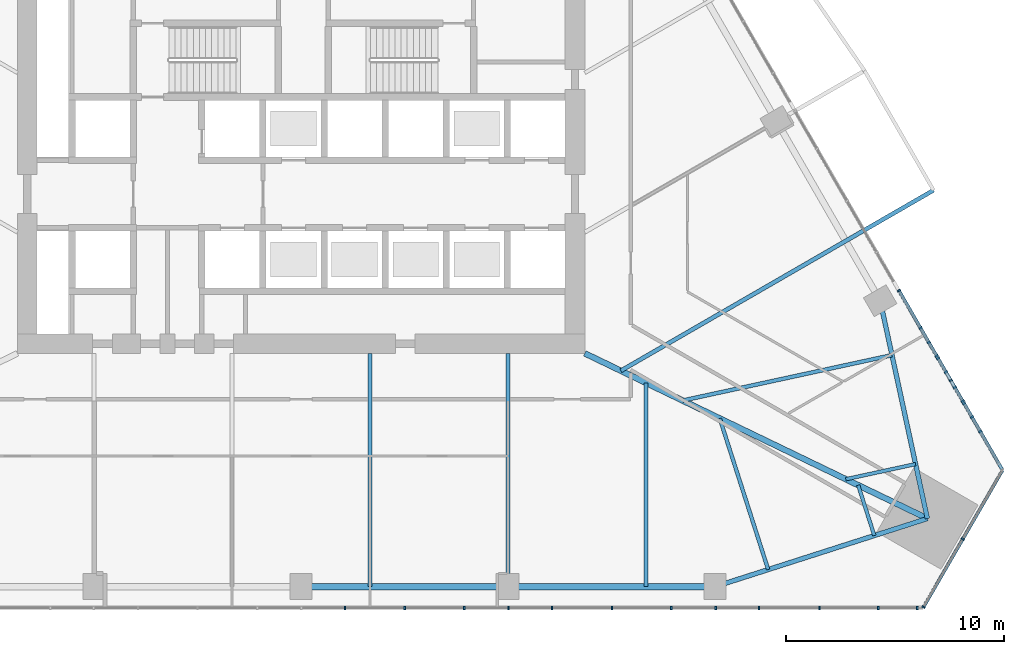
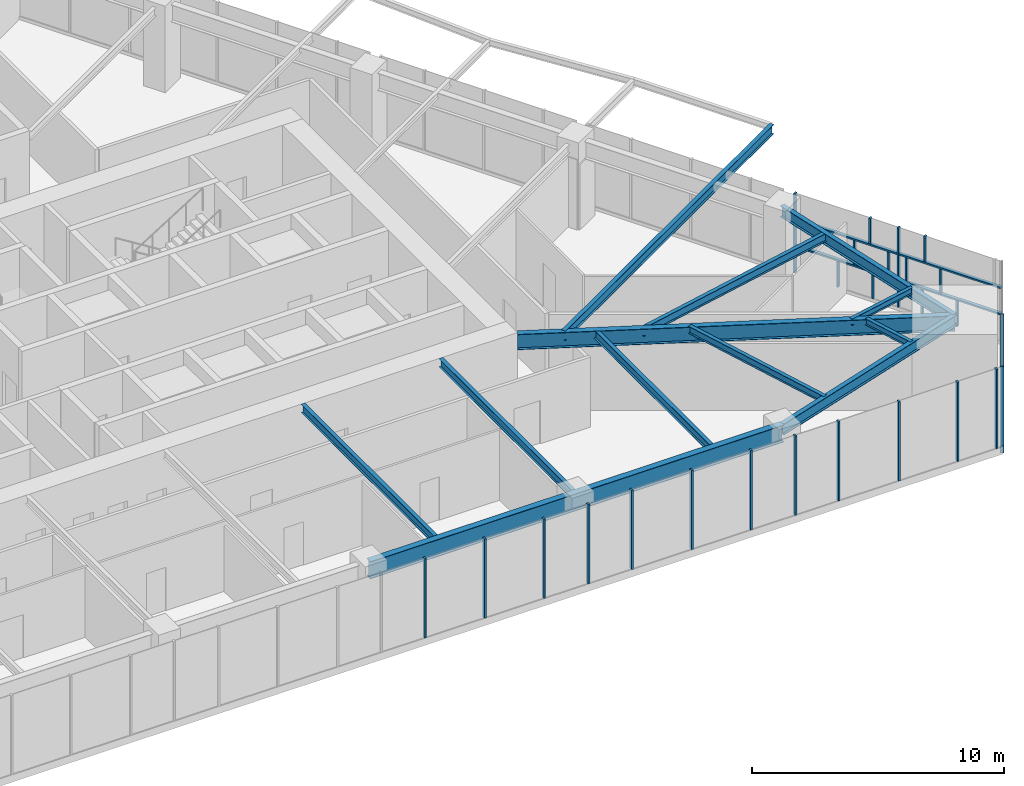
# One storey, part 7 of 26: 31 members, 12 beams, 3 elements without a shape of their own.
"""IFC4 building model written with IfcOpenShell, lengths in metres."""

from ifc_helpers import new_model, si_unit, direction, frame, origin, origin_2d, place, context, subcontext, project, spatial, rectangle, i_section, extrude, material, layer, layer_set, material_profile, profile_set, type_object, element, aggregate, save


model = new_model("IFC4")

# Units and contexts
model_context = context("Model", 3, precision=1e-05, world=origin(), true_north=direction((0.0, 1.0)))
body_context = subcontext(model_context, "Body", "Model", "MODEL_VIEW")
ifc_project = project(units=[si_unit("LENGTHUNIT", "METRE"), si_unit("AREAUNIT", "SQUARE_METRE"), si_unit("VOLUMEUNIT", "CUBIC_METRE"), si_unit("PLANEANGLEUNIT", "RADIAN"), si_unit("MASSUNIT", "GRAM", prefix="KILO")], contexts=[model_context])

# Site, building, storey
site_placement = place(None, origin())
site = spatial("IfcSite", under=ifc_project, at=site_placement, CompositionType="ELEMENT")
building_placement = place(site_placement, origin())
building = spatial("IfcBuilding", under=site, at=building_placement, Name="Firuza Gate Tower and Library", CompositionType="ELEMENT")
storey_placement = place(building_placement, frame((0.0, 0.0, 77.800048828125)))
storey = spatial("IfcBuildingStorey", under=building, at=storey_placement, Name="L17", CompositionType="ELEMENT", Elevation=77.800048828125)

# Curtain wall, members
ifc_material_1 = material(Name="Aluminium 6063-T6", Category="aluminium")
ifc_layer_1 = layer(ifc_material_1, 0.14990234375)
ifc_layer_set_1 = layer_set([ifc_layer_1], Name="Unitised curtain wall, offices")
curtain_wall_type_1 = type_object("IfcCurtainWallType", Name="Unitised curtain wall, offices", PredefinedType="NOTDEFINED", material=ifc_layer_set_1)
placement = place(storey_placement, origin())
curtain_wall_1 = element("IfcCurtainWall", 1, at=placement, inside=storey, type_object=curtain_wall_type_1, Name="CW1 L17 S face", PredefinedType="NOTDEFINED")
ifc_material_2 = material(Name="Aluminium 6063-T6", Category="aluminium")
ifc_material_profile_1 = material_profile(ifc_material_2, rectangle(XDim=0.14990234375, YDim=0.080078125, at=origin_2d()))
ifc_profile_set_1 = profile_set([ifc_material_profile_1], Name="Aluminium 6063-T6")
member_type_1 = type_object("IfcMemberType", Name="Curtain wall mullion 80x150", PredefinedType="MULLION", material=ifc_profile_set_1)
member_1_placement = place(storey_placement, frame((79.749755859375, 54.339111328125, 0.14990234375), z_axis=(0.0, 0.0, 1.0), x_axis=(0.0, 1.0, 0.0)))
member_1 = element("IfcMember", 2, at=member_1_placement, type_object=member_type_1, Name="Mullion", PredefinedType="MULLION", context=body_context, shape_type="SweptSolid", body=[
    extrude(rectangle(XDim=0.14990234375, YDim=0.080078125, at=origin_2d()), origin(), (0.0, 0.0, 1.0), 3.85009765625),
])
member_2_placement = place(storey_placement, frame((84.499755859375, 54.339111328125, 0.14990234375), z_axis=(0.0, 0.0, 1.0), x_axis=(0.0, 1.0, 0.0)))
member_2 = element("IfcMember", 3, at=member_2_placement, type_object=member_type_1, Name="Mullion", PredefinedType="MULLION", context=body_context, shape_type="SweptSolid", body=[
    extrude(rectangle(XDim=0.14990234375, YDim=0.080078125, at=origin_2d()), origin(), (0.0, 0.0, 1.0), 3.85009765625),
])
member_3_placement = place(storey_placement, frame((89.24951171875, 54.339111328125, 0.14990234375), z_axis=(0.0, 0.0, 1.0), x_axis=(0.0, 1.0, 0.0)))
member_3 = element("IfcMember", 4, at=member_3_placement, type_object=member_type_1, Name="Mullion", PredefinedType="MULLION", context=body_context, shape_type="SweptSolid", body=[
    extrude(rectangle(XDim=0.14990234375, YDim=0.080078125, at=origin_2d()), origin(), (0.0, 0.0, 1.0), 3.85009765625),
])
member_4_placement = place(storey_placement, frame((93.99951171875, 54.339111328125, 0.14990234375), z_axis=(0.0, 0.0, 1.0), x_axis=(0.0, 1.0, 0.0)))
member_4 = element("IfcMember", 5, at=member_4_placement, type_object=member_type_1, Name="Mullion", PredefinedType="MULLION", context=body_context, shape_type="SweptSolid", body=[
    extrude(rectangle(XDim=0.14990234375, YDim=0.080078125, at=origin_2d()), origin(), (0.0, 0.0, 1.0), 3.85009765625),
])
member_5_placement = place(storey_placement, frame((98.749267578125, 54.339111328125, 0.14990234375), z_axis=(0.0, 0.0, 1.0), x_axis=(0.0, 1.0, 0.0)))
member_5 = element("IfcMember", 6, at=member_5_placement, type_object=member_type_1, Name="Mullion", PredefinedType="MULLION", context=body_context, shape_type="SweptSolid", body=[
    extrude(rectangle(XDim=0.14990234375, YDim=0.080078125, at=origin_2d()), origin(), (0.0, 0.0, 1.0), 3.85009765625),
])
member_6_placement = place(storey_placement, frame((77.009033203125, 54.339111328125, 0.14990234375), z_axis=(0.0, 0.0, 1.0), x_axis=(0.0, 1.0, 0.0)))
member_6 = element("IfcMember", 7, at=member_6_placement, type_object=member_type_1, Name="Mullion", PredefinedType="MULLION", context=body_context, shape_type="SweptSolid", body=[
    extrude(rectangle(XDim=0.14990234375, YDim=0.080078125, at=origin_2d()), origin(), (0.0, 0.0, 1.0), 3.85009765625),
])
member_7_placement = place(storey_placement, frame((82.476318359375, 54.339111328125, 0.14990234375), z_axis=(0.0, 0.0, 1.0), x_axis=(0.0, 1.0, 0.0)))
member_7 = element("IfcMember", 8, at=member_7_placement, type_object=member_type_1, Name="Mullion", PredefinedType="MULLION", context=body_context, shape_type="SweptSolid", body=[
    extrude(rectangle(XDim=0.14990234375, YDim=0.080078125, at=origin_2d()), origin(), (0.0, 0.0, 1.0), 3.85009765625),
])
member_8_placement = place(storey_placement, frame((86.494384765625, 54.339111328125, 0.14990234375), z_axis=(0.0, 0.0, 1.0), x_axis=(0.0, 1.0, 0.0)))
member_8 = element("IfcMember", 9, at=member_8_placement, type_object=member_type_1, Name="Mullion", PredefinedType="MULLION", context=body_context, shape_type="SweptSolid", body=[
    extrude(rectangle(XDim=0.14990234375, YDim=0.080078125, at=origin_2d()), origin(), (0.0, 0.0, 1.0), 3.85009765625),
])
member_9_placement = place(storey_placement, frame((91.96142578125, 54.339111328125, 0.14990234375), z_axis=(0.0, 0.0, 1.0), x_axis=(0.0, 1.0, 0.0)))
member_9 = element("IfcMember", 10, at=member_9_placement, type_object=member_type_1, Name="Mullion", PredefinedType="MULLION", context=body_context, shape_type="SweptSolid", body=[
    extrude(rectangle(XDim=0.14990234375, YDim=0.080078125, at=origin_2d()), origin(), (0.0, 0.0, 1.0), 3.85009765625),
])
member_10_placement = place(storey_placement, frame((95.979736328125, 54.339111328125, 0.14990234375), z_axis=(0.0, 0.0, 1.0), x_axis=(0.0, 1.0, 0.0)))
member_10 = element("IfcMember", 11, at=member_10_placement, type_object=member_type_1, Name="Mullion", PredefinedType="MULLION", context=body_context, shape_type="SweptSolid", body=[
    extrude(rectangle(XDim=0.14990234375, YDim=0.080078125, at=origin_2d()), origin(), (0.0, 0.0, 1.0), 3.85009765625),
])
member_11_placement = place(storey_placement, frame((101.44677734375, 54.339111328125, 0.14990234375), z_axis=(0.0, 0.0, 1.0), x_axis=(0.0, 1.0, 0.0)))
member_11 = element("IfcMember", 12, at=member_11_placement, type_object=member_type_1, Name="Mullion", PredefinedType="MULLION", context=body_context, shape_type="SweptSolid", body=[
    extrude(rectangle(XDim=0.14990234375, YDim=0.080078125, at=origin_2d()), origin(), (0.0, 0.0, 1.0), 3.85009765625),
])
member_12_placement = place(storey_placement, frame((103.233154296875, 54.339111328125, 0.14990234375), z_axis=(0.0, 0.0, 1.0), x_axis=(0.0, 1.0, 0.0)))
member_12 = element("IfcMember", 13, at=member_12_placement, type_object=member_type_1, Name="Mullion", PredefinedType="MULLION", context=body_context, shape_type="SweptSolid", body=[
    extrude(rectangle(XDim=0.14990234375, YDim=0.080078125, at=origin_2d()), origin(), (0.0, 0.0, 1.0), 3.85009765625),
])
aggregate(curtain_wall_1, [member_1, member_2, member_3, member_4, member_5, member_6, member_7, member_8, member_9, member_10, member_11, member_12])

ifc_material_3 = material(Name="Aluminium 6063-T6", Category="aluminium")
ifc_layer_2 = layer(ifc_material_3, 0.14990234375)
ifc_layer_set_2 = layer_set([ifc_layer_2], Name="Corner curtain wall, chamfers")
curtain_wall_type_2 = type_object("IfcCurtainWallType", Name="Corner curtain wall, chamfers", PredefinedType="NOTDEFINED", material=ifc_layer_set_2)
curtain_wall_2 = element("IfcCurtainWall", 14, at=placement, inside=storey, type_object=curtain_wall_type_2, Name="CW4 L17 SE corner", PredefinedType="NOTDEFINED")
member_13_placement = place(storey_placement, frame((103.519287109375, 54.373779296875, 0.14990234375), z_axis=(0.0, 0.0, 1.0), x_axis=(-0.866025403784, 0.5, 0.0)))
member_13 = element("IfcMember", 15, at=member_13_placement, type_object=member_type_1, Name="Mullion", PredefinedType="MULLION", context=body_context, shape_type="SweptSolid", body=[
    extrude(rectangle(XDim=0.14990234375, YDim=0.080078125, at=origin_2d()), origin(), (0.0, 0.0, 1.0), 3.85009765625),
])
member_14_placement = place(storey_placement, frame((105.32080078125, 57.494140625, 0.14990234375), z_axis=(0.0, 0.0, 1.0), x_axis=(-0.866025403784, 0.5, 0.0)))
member_14 = element("IfcMember", 16, at=member_14_placement, type_object=member_type_1, Name="Mullion", PredefinedType="MULLION", context=body_context, shape_type="SweptSolid", body=[
    extrude(rectangle(XDim=0.14990234375, YDim=0.080078125, at=origin_2d()), origin(), (0.0, 0.0, 1.0), 3.85009765625),
])

curtain_wall_3 = element("IfcCurtainWall", 17, at=placement, inside=storey, type_object=curtain_wall_type_1, Name="CW1 L17 E face", PredefinedType="NOTDEFINED")
member_15_placement = place(storey_placement, frame((104.767578125, 64.762939453125, 0.14990234375), z_axis=(0.0, 0.0, 1.0), x_axis=(-0.866025403784, -0.5, 0.0)))
member_15 = element("IfcMember", 18, at=member_15_placement, type_object=member_type_1, Name="Mullion", PredefinedType="MULLION", context=body_context, shape_type="SweptSolid", body=[
    extrude(rectangle(XDim=0.14990234375, YDim=0.080078125, at=origin_2d()), origin(), (0.0, 0.0, 1.0), 3.85009765625),
])
member_16_placement = place(storey_placement, frame((102.392578125, 68.87646484375, 0.14990234375), z_axis=(0.0, 0.0, 1.0), x_axis=(-0.866025403784, -0.5, 0.0)))
member_16 = element("IfcMember", 19, at=member_16_placement, type_object=member_type_1, Name="Mullion", PredefinedType="MULLION", context=body_context, shape_type="SweptSolid", body=[
    extrude(rectangle(XDim=0.14990234375, YDim=0.080078125, at=origin_2d()), origin(), (0.0, 0.0, 1.0), 3.85009765625),
])
member_17_placement = place(storey_placement, frame((106.1162109375, 62.4267578125, 0.14990234375), z_axis=(0.0, 0.0, 1.0), x_axis=(-0.866025403784, -0.5, 0.0)))
member_17 = element("IfcMember", 20, at=member_17_placement, type_object=member_type_1, Name="Mullion", PredefinedType="MULLION", context=body_context, shape_type="SweptSolid", body=[
    extrude(rectangle(XDim=0.14990234375, YDim=0.080078125, at=origin_2d()), origin(), (0.0, 0.0, 1.0), 1.260009765625),
])
member_18_placement = place(storey_placement, frame((105.313720703125, 63.817138671875, 0.14990234375), z_axis=(0.0, 0.0, 1.0), x_axis=(-0.866025403784, -0.5, 0.0)))
member_18 = element("IfcMember", 21, at=member_18_placement, type_object=member_type_1, Name="Mullion", PredefinedType="MULLION", context=body_context, shape_type="SweptSolid", body=[
    extrude(rectangle(XDim=0.14990234375, YDim=0.080078125, at=origin_2d()), origin(), (0.0, 0.0, 1.0), 1.260009765625),
])
member_19_placement = place(storey_placement, frame((105.738037109375, 63.08203125, 1.489990234375), z_axis=(0.0, 0.0, 1.0), x_axis=(-0.866025403784, -0.5, 0.0)))
member_19 = element("IfcMember", 22, at=member_19_placement, type_object=member_type_1, Name="Mullion", PredefinedType="MULLION", context=body_context, shape_type="SweptSolid", body=[
    extrude(rectangle(XDim=0.14990234375, YDim=0.080078125, at=origin_2d()), origin(), (0.0, 0.0, 1.0), 1.195068359375),
])
member_20_placement = place(storey_placement, frame((104.953857421875, 64.4404296875, 1.489990234375), z_axis=(0.0, 0.0, 1.0), x_axis=(-0.866025403784, -0.5, 0.0)))
member_20 = element("IfcMember", 23, at=member_20_placement, type_object=member_type_1, Name="Mullion", PredefinedType="MULLION", context=body_context, shape_type="SweptSolid", body=[
    extrude(rectangle(XDim=0.14990234375, YDim=0.080078125, at=origin_2d()), origin(), (0.0, 0.0, 1.0), 1.195068359375),
])
member_21_placement = place(storey_placement, frame((105.378173828125, 63.70556640625, 2.764892578125), z_axis=(0.0, 0.0, 1.0), x_axis=(-0.866025403784, -0.5, 0.0)))
member_21 = element("IfcMember", 24, at=member_21_placement, type_object=member_type_1, Name="Mullion", PredefinedType="MULLION", context=body_context, shape_type="SweptSolid", body=[
    extrude(rectangle(XDim=0.14990234375, YDim=0.080078125, at=origin_2d()), origin(), (0.0, 0.0, 1.0), 1.235107421875),
])
member_22_placement = place(storey_placement, frame((104.185302734375, 65.771240234375, 0.14990234375), z_axis=(0.0, 0.0, 1.0), x_axis=(-0.866025403784, -0.5, 0.0)))
member_22 = element("IfcMember", 25, at=member_22_placement, type_object=member_type_1, Name="Mullion", PredefinedType="MULLION", context=body_context, shape_type="SweptSolid", body=[
    extrude(rectangle(XDim=0.14990234375, YDim=0.080078125, at=origin_2d()), origin(), (0.0, 0.0, 1.0), 1.260009765625),
])
member_23_placement = place(storey_placement, frame((103.3828125, 67.16162109375, 0.14990234375), z_axis=(0.0, 0.0, 1.0), x_axis=(-0.866025403784, -0.5, 0.0)))
member_23 = element("IfcMember", 26, at=member_23_placement, type_object=member_type_1, Name="Mullion", PredefinedType="MULLION", context=body_context, shape_type="SweptSolid", body=[
    extrude(rectangle(XDim=0.14990234375, YDim=0.080078125, at=origin_2d()), origin(), (0.0, 0.0, 1.0), 1.260009765625),
])
member_24_placement = place(storey_placement, frame((104.54541015625, 65.14794921875, 1.489990234375), z_axis=(0.0, 0.0, 1.0), x_axis=(-0.866025403784, -0.5, 0.0)))
member_24 = element("IfcMember", 27, at=member_24_placement, type_object=member_type_1, Name="Mullion", PredefinedType="MULLION", context=body_context, shape_type="SweptSolid", body=[
    extrude(rectangle(XDim=0.14990234375, YDim=0.080078125, at=origin_2d()), origin(), (0.0, 0.0, 1.0), 1.195068359375),
])
member_25_placement = place(storey_placement, frame((103.760986328125, 66.50634765625, 1.489990234375), z_axis=(0.0, 0.0, 1.0), x_axis=(-0.866025403784, -0.5, 0.0)))
member_25 = element("IfcMember", 28, at=member_25_placement, type_object=member_type_1, Name="Mullion", PredefinedType="MULLION", context=body_context, shape_type="SweptSolid", body=[
    extrude(rectangle(XDim=0.14990234375, YDim=0.080078125, at=origin_2d()), origin(), (0.0, 0.0, 1.0), 1.195068359375),
])
member_26_placement = place(storey_placement, frame((104.120849609375, 65.8828125, 2.764892578125), z_axis=(0.0, 0.0, 1.0), x_axis=(-0.866025403784, -0.5, 0.0)))
member_26 = element("IfcMember", 29, at=member_26_placement, type_object=member_type_1, Name="Mullion", PredefinedType="MULLION", context=body_context, shape_type="SweptSolid", body=[
    extrude(rectangle(XDim=0.14990234375, YDim=0.080078125, at=origin_2d()), origin(), (0.0, 0.0, 1.0), 1.235107421875),
])

# Member
ifc_material_4 = material(Name="Aluminium 6063-T6", Category="aluminium")
ifc_material_profile_2 = material_profile(ifc_material_4, rectangle(XDim=0.14990234375, YDim=0.35009765625, at=origin_2d()))
ifc_profile_set_2 = profile_set([ifc_material_profile_2], Name="Aluminium 6063-T6")
member_type_2 = type_object("IfcMemberType", Name="Curtain wall transom 350x150", PredefinedType="USERDEFINED", material=ifc_profile_set_2)
member_27_placement = place(storey_placement, frame((103.499267578125, 54.339111328125, -0.025146484375), z_axis=(0.500005719219, 0.866022101766, 0.0), x_axis=(-0.866022101766, 0.500005719219, 0.0)))
member_27 = element("IfcMember", 30, at=member_27_placement, type_object=member_type_2, Name="Transom", ObjectType="TRANSOM", PredefinedType="USERDEFINED", context=body_context, shape_type="SweptSolid", body=[
    extrude(rectangle(XDim=0.14990234375, YDim=0.35009765625, at=origin_2d()), origin(), (0.0, 0.0, 1.0), 7.28662109375),
])

aggregate(curtain_wall_2, [member_13, member_14, member_27])

ifc_material_5 = material(Name="Aluminium 6063-T6", Category="aluminium")
ifc_material_profile_3 = material_profile(ifc_material_5, rectangle(XDim=0.14990234375, YDim=0.080078125, at=origin_2d()))
ifc_profile_set_3 = profile_set([ifc_material_profile_3], Name="Aluminium 6063-T6")
member_type_3 = type_object("IfcMemberType", Name="Curtain wall transom 80x150", PredefinedType="USERDEFINED", material=ifc_profile_set_3)
member_28_placement = place(storey_placement, frame((107.12255859375, 60.68408203125, 1.449951171875), z_axis=(-0.500007559336, 0.866021039356, 0.0), x_axis=(-0.866021039356, -0.500007559336, 0.0)))
member_28 = element("IfcMember", 31, at=member_28_placement, type_object=member_type_3, Name="Transom", ObjectType="TRANSOM", PredefinedType="USERDEFINED", context=body_context, shape_type="SweptSolid", body=[
    extrude(rectangle(XDim=0.14990234375, YDim=0.080078125, at=origin_2d()), origin(), (0.0, 0.0, 1.0), 4.669921875),
])

member_29_placement = place(storey_placement, frame((107.12255859375, 60.68408203125, 2.724853515625), z_axis=(-0.500007559336, 0.866021039356, 0.0), x_axis=(-0.866021039356, -0.500007559336, 0.0)))
member_29 = element("IfcMember", 32, at=member_29_placement, type_object=member_type_3, Name="Transom", ObjectType="TRANSOM", PredefinedType="USERDEFINED", context=body_context, shape_type="SweptSolid", body=[
    extrude(rectangle(XDim=0.14990234375, YDim=0.080078125, at=origin_2d()), origin(), (0.0, 0.0, 1.0), 4.669921875),
])

member_30_placement = place(storey_placement, frame((104.74755859375, 64.797607421875, 1.449951171875), z_axis=(-0.500007559336, 0.866021039356, 0.0), x_axis=(-0.866021039356, -0.500007559336, 0.0)))
member_30 = element("IfcMember", 33, at=member_30_placement, type_object=member_type_3, Name="Transom", ObjectType="TRANSOM", PredefinedType="USERDEFINED", context=body_context, shape_type="SweptSolid", body=[
    extrude(rectangle(XDim=0.14990234375, YDim=0.080078125, at=origin_2d()), origin(), (0.0, 0.0, 1.0), 4.669921875),
])

member_31_placement = place(storey_placement, frame((104.74755859375, 64.797607421875, 2.724853515625), z_axis=(-0.500007559336, 0.866021039356, 0.0), x_axis=(-0.866021039356, -0.500007559336, 0.0)))
member_31 = element("IfcMember", 34, at=member_31_placement, type_object=member_type_3, Name="Transom", ObjectType="TRANSOM", PredefinedType="USERDEFINED", context=body_context, shape_type="SweptSolid", body=[
    extrude(rectangle(XDim=0.14990234375, YDim=0.080078125, at=origin_2d()), origin(), (0.0, 0.0, 1.0), 4.669921875),
])

aggregate(curtain_wall_3, [member_15, member_16, member_17, member_18, member_19, member_20, member_21, member_28, member_29, member_22, member_23, member_24, member_25, member_26, member_30, member_31])

# Beams
ifc_material_6 = material(Name="Steel S355", Category="steel")
ifc_material_profile_4 = material_profile(ifc_material_6, i_section(OverallWidth=0.1650390625, OverallDepth=0.31005859375, WebThickness=0.005859375, FlangeThickness=0.009765625, at=origin_2d()))
ifc_profile_set_4 = profile_set([ifc_material_profile_4], Name="Steel S355")
beam_type_1 = type_object("IfcBeamType", Name="W310x39 Floor beam", PredefinedType="JOIST", material=ifc_profile_set_4)
beam_1_placement = place(storey_placement, frame((101.265380859375, 57.65234375, 3.844970703125), z_axis=(-0.305239756839, 0.952275533049, 0.0), x_axis=(-0.952275533049, -0.305239756839, 0.0)))
element("IfcBeam", 35, at=beam_1_placement, inside=storey, type_object=beam_type_1, Name="Floor beam L17 s31", PredefinedType="JOIST", context=body_context, shape_type="SweptSolid", body=[
    extrude(i_section(OverallWidth=0.1650390625, OverallDepth=0.31005859375, WebThickness=0.005859375, FlangeThickness=0.009765625, at=origin_2d()), origin(), (0.0, 0.0, 1.0), 2.42431640625),
])
beam_2_placement = place(storey_placement, frame((103.15625, 60.92724609375, 3.844970703125), z_axis=(-0.97732159581, -0.211760474035, 0.0), x_axis=(0.211760474035, -0.97732159581, 0.0)))
element("IfcBeam", 36, at=beam_2_placement, inside=storey, type_object=beam_type_1, Name="Floor beam L17 s40", PredefinedType="JOIST", context=body_context, shape_type="SweptSolid", body=[
    extrude(i_section(OverallWidth=0.1650390625, OverallDepth=0.31005859375, WebThickness=0.005859375, FlangeThickness=0.009765625, at=origin_2d()), origin(), (0.0, 0.0, 1.0), 3.27197265625),
])
ifc_material_7 = material(Name="Steel S355", Category="steel")
ifc_material_profile_5 = material_profile(ifc_material_7, i_section(OverallWidth=0.1708984375, OverallDepth=0.35498046875, WebThickness=0.007080078125, FlangeThickness=0.01171875, at=origin_2d()))
ifc_profile_set_5 = profile_set([ifc_material_profile_5], Name="Steel S355")
beam_type_2 = type_object("IfcBeamType", Name="W360x51 Floor beam", PredefinedType="JOIST", material=ifc_profile_set_5)
beam_3_placement = place(storey_placement, frame((96.402099609375, 56.093505859375, 3.822509765625), z_axis=(-0.305239756839, 0.952275533049, 0.0), x_axis=(-0.952275533049, -0.305239756839, 0.0)))
element("IfcBeam", 37, at=beam_3_placement, inside=storey, type_object=beam_type_2, Name="Floor beam L17 s30", PredefinedType="JOIST", context=body_context, shape_type="SweptSolid", body=[
    extrude(i_section(OverallWidth=0.1708984375, OverallDepth=0.35498046875, WebThickness=0.007080078125, FlangeThickness=0.01171875, at=origin_2d()), origin(), (0.0, 0.0, 1.0), 7.27294921875),
])
ifc_material_8 = material(Name="Steel S355", Category="steel")
ifc_material_profile_6 = material_profile(ifc_material_8, i_section(OverallWidth=0.177978515625, OverallDepth=0.406982421875, WebThickness=0.0078125, FlangeThickness=0.0126953125, at=origin_2d()))
ifc_profile_set_6 = profile_set([ifc_material_profile_6], Name="Steel S355")
beam_type_3 = type_object("IfcBeamType", Name="W410x60 Floor beam", PredefinedType="JOIST", material=ifc_profile_set_6)
for number, where, z_axis, x_axis, name in (
    (38, (78.161865234375, 55.31396484375, 3.79638671875), (0.0, 1.0, 0.0), (-1.0, 0.0, 0.0), "Floor beam L17 s23"),
    (39, (84.4853515625, 55.31396484375, 3.79638671875), (0.0, 1.0, 0.0), (-1.0, 0.0, 0.0), "Floor beam L17 s24"),
):
    element("IfcBeam", number, at=place(storey_placement, frame(where, z_axis=z_axis, x_axis=x_axis)), inside=storey, type_object=beam_type_3, Name=name, PredefinedType="JOIST", context=body_context, shape_type="SweptSolid", body=[
        extrude(i_section(OverallWidth=0.177978515625, OverallDepth=0.406982421875, WebThickness=0.0078125, FlangeThickness=0.0126953125, at=origin_2d()), origin(), (0.0, 0.0, 1.0), 10.68603515625),
    ])
beam_4_placement = place(storey_placement, frame((90.808837890625, 55.31396484375, 3.79638671875), z_axis=(0.0, 1.0, 0.0), x_axis=(-1.0, 0.0, 0.0)))
element("IfcBeam", 40, at=beam_4_placement, inside=storey, type_object=beam_type_3, Name="Floor beam L17 s25", PredefinedType="JOIST", context=body_context, shape_type="SweptSolid", body=[
    extrude(i_section(OverallWidth=0.177978515625, OverallDepth=0.406982421875, WebThickness=0.0078125, FlangeThickness=0.0126953125, at=origin_2d()), origin(), (0.0, 0.0, 1.0), 9.331787109375),
])
beam_5_placement = place(storey_placement, frame((102.07470703125, 65.91845703125, 3.79638671875), z_axis=(-0.9773124156, -0.211802838306, 0.0), x_axis=(0.211802838306, -0.9773124156, 0.0)))
element("IfcBeam", 41, at=beam_5_placement, inside=storey, type_object=beam_type_3, Name="Floor beam L17 s41", PredefinedType="JOIST", context=body_context, shape_type="SweptSolid", body=[
    extrude(i_section(OverallWidth=0.177978515625, OverallDepth=0.406982421875, WebThickness=0.0078125, FlangeThickness=0.0126953125, at=origin_2d()), origin(), (0.0, 0.0, 1.0), 9.816162109375),
])
ifc_material_9 = material(Name="Steel S355", Category="steel")
ifc_material_profile_7 = material_profile(ifc_material_9, i_section(OverallWidth=0.18994140625, OverallDepth=0.45703125, WebThickness=0.009033203125, FlangeThickness=0.014404296875, at=origin_2d()))
ifc_profile_set_7 = profile_set([ifc_material_profile_7], Name="Steel S355")
beam_type_4 = type_object("IfcBeamType", Name="W460x74 Floor beam", PredefinedType="JOIST", material=ifc_profile_set_7)
beam_6_placement = place(storey_placement, frame((103.97998046875, 73.47705078125, 3.771484375), z_axis=(-0.866028083079, -0.499995359297, 0.0), x_axis=(0.499995359297, -0.866028083079, 0.0)))
element("IfcBeam", 42, at=beam_6_placement, inside=storey, type_object=beam_type_4, Name="Floor beam L17 s50", PredefinedType="JOIST", context=body_context, shape_type="SweptSolid", body=[
    extrude(i_section(OverallWidth=0.18994140625, OverallDepth=0.45703125, WebThickness=0.009033203125, FlangeThickness=0.014404296875, at=origin_2d()), origin(), (0.0, 0.0, 1.0), 16.546142578125),
])
ifc_material_10 = material(Name="Steel S355", Category="steel")
ifc_material_profile_8 = material_profile(ifc_material_10, i_section(OverallWidth=0.212890625, OverallDepth=0.5390625, WebThickness=0.01171875, FlangeThickness=0.018798828125, at=origin_2d()))
ifc_profile_set_8 = profile_set([ifc_material_profile_8], Name="Steel S355")
beam_type_5 = type_object("IfcBeamType", Name="W530x109 Edge beam", PredefinedType="SPANDREL", material=ifc_profile_set_8)
beam_7_placement = place(storey_placement, frame((93.970703125, 55.31396484375, 3.73046875), z_axis=(0.952274716719, 0.305242303584, 0.0), x_axis=(-0.305242303584, 0.952274716719, 0.0)))
element("IfcBeam", 43, at=beam_7_placement, inside=storey, type_object=beam_type_5, Name="Edge beam L17 e30", PredefinedType="SPANDREL", context=body_context, shape_type="SweptSolid", body=[
    extrude(i_section(OverallWidth=0.212890625, OverallDepth=0.5390625, WebThickness=0.01171875, FlangeThickness=0.018798828125, at=origin_2d()), origin(), (0.0, 0.0, 1.0), 10.2138671875),
])
beam_8_placement = place(storey_placement, frame((103.697021484375, 58.431640625, 3.73046875), z_axis=(-0.211774655481, 0.977318522947, 0.0), x_axis=(-0.977318522947, -0.211774655481, 0.0)))
element("IfcBeam", 44, at=beam_8_placement, inside=storey, type_object=beam_type_5, Name="Edge beam L17 e40", PredefinedType="SPANDREL", context=body_context, shape_type="SweptSolid", body=[
    extrude(i_section(OverallWidth=0.212890625, OverallDepth=0.5390625, WebThickness=0.01171875, FlangeThickness=0.018798828125, at=origin_2d()), origin(), (0.0, 0.0, 1.0), 10.214111328125),
])
ifc_material_11 = material(Name="Steel S355", Category="steel")
ifc_material_profile_9 = material_profile(ifc_material_11, i_section(OverallWidth=0.264892578125, OverallDepth=0.7529296875, WebThickness=0.01318359375, FlangeThickness=0.01708984375, at=origin_2d()))
ifc_profile_set_9 = profile_set([ifc_material_profile_9], Name="Steel S355")
beam_type_6 = type_object("IfcBeamType", Name="W760x147 Girder", PredefinedType="BEAM", material=ifc_profile_set_9)
beam_9_placement = place(storey_placement, frame((103.697021484375, 58.431640625, 3.62353515625), z_axis=(-0.900765255898, 0.434306290269, 0.0), x_axis=(-0.434306290269, -0.900765255898, 0.0)))
element("IfcBeam", 45, at=beam_9_placement, inside=storey, type_object=beam_type_6, Name="Girder L17 gSE", PredefinedType="BEAM", context=body_context, shape_type="SweptSolid", body=[
    extrude(i_section(OverallWidth=0.264892578125, OverallDepth=0.7529296875, WebThickness=0.01318359375, FlangeThickness=0.01708984375, at=origin_2d()), origin(), (0.0, 0.0, 1.0), 17.42626953125),
])
ifc_material_12 = material(Name="Steel S355", Category="steel")
ifc_material_profile_10 = material_profile(ifc_material_12, i_section(OverallWidth=0.2919921875, OverallDepth=0.8349609375, WebThickness=0.013916015625, FlangeThickness=0.018798828125, at=origin_2d()))
ifc_profile_set_10 = profile_set([ifc_material_profile_10], Name="Steel S355")
beam_type_7 = type_object("IfcBeamType", Name="W840x176 Edge beam", PredefinedType="SPANDREL", material=ifc_profile_set_10)
beam_10_placement = place(storey_placement, frame((75.0, 55.31396484375, 3.58251953125), z_axis=(1.0, 0.0, 0.0), x_axis=(0.0, 1.0, 0.0)))
element("IfcBeam", 46, at=beam_10_placement, inside=storey, type_object=beam_type_7, Name="Edge beam L17 e22", PredefinedType="SPANDREL", context=body_context, shape_type="SweptSolid", body=[
    extrude(i_section(OverallWidth=0.2919921875, OverallDepth=0.8349609375, WebThickness=0.013916015625, FlangeThickness=0.018798828125, at=origin_2d()), origin(), (0.0, 0.0, 1.0), 18.970703125),
])

save(model, "model.ifc")
